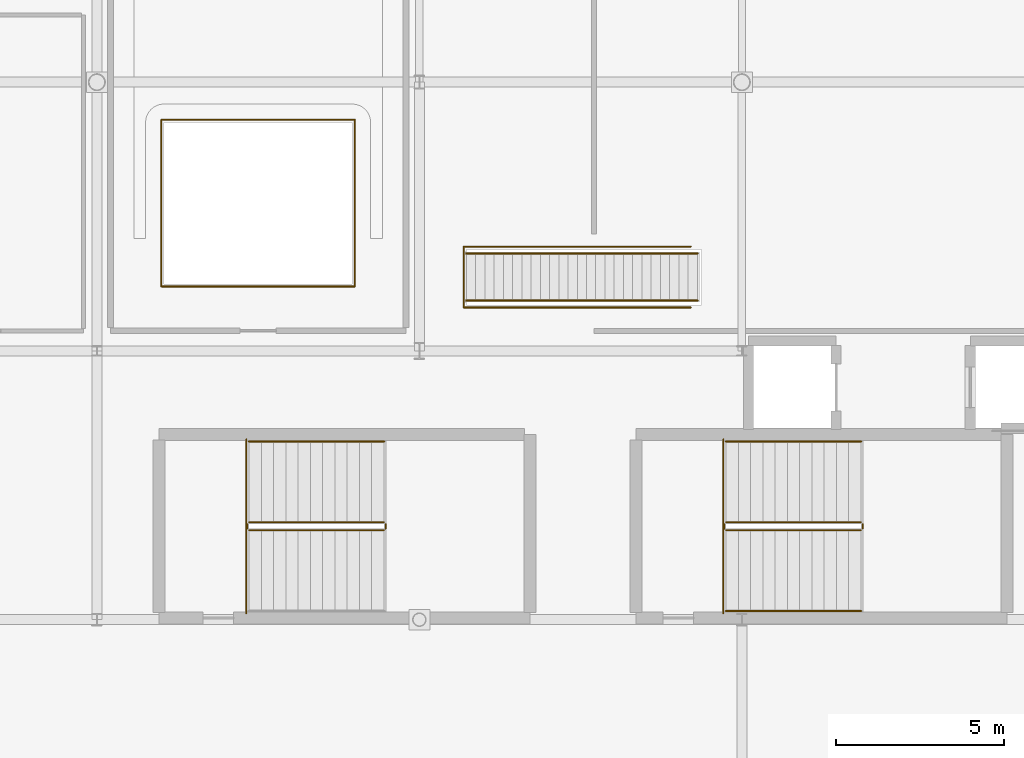
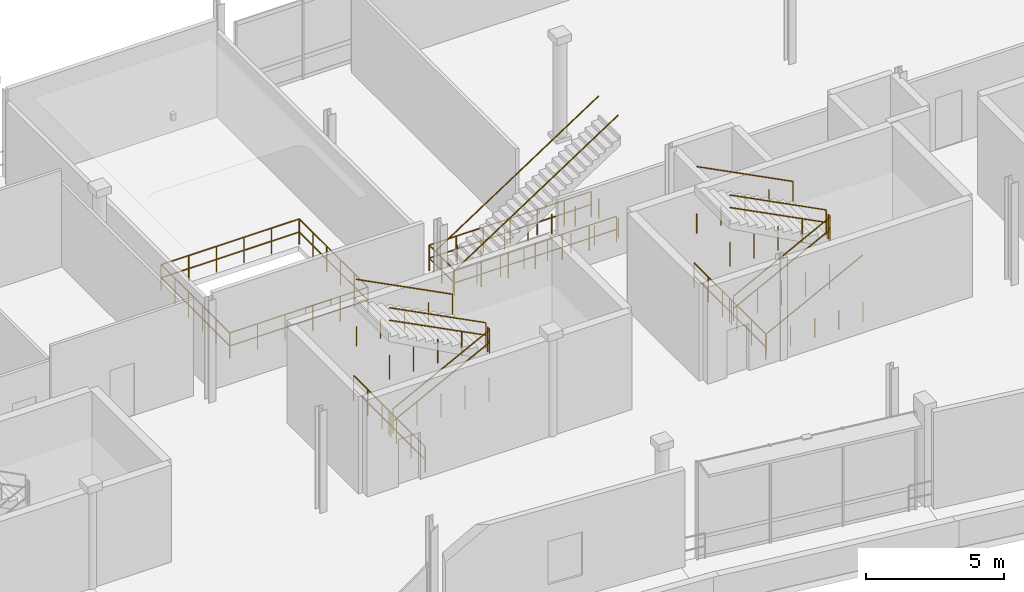
# One storey, part 52 of 59: 17 railings.
"""IFC4 building model written with IfcOpenShell, lengths in metres."""

from ifc_helpers import new_model, si_unit, direction, frame, origin, origin_2d, place, context, subcontext, project, spatial, circle, extrude, material, type_object, element, save


model = new_model("IFC4")

# Units and contexts
model_context = context("Model", 3, precision=1e-05, world=origin(), true_north=direction((0.0, 1.0)))
body_context = subcontext(model_context, "Body", "Model", "MODEL_VIEW")
ifc_project = project(units=[si_unit("LENGTHUNIT", "METRE"), si_unit("AREAUNIT", "SQUARE_METRE"), si_unit("VOLUMEUNIT", "CUBIC_METRE"), si_unit("PLANEANGLEUNIT", "RADIAN"), si_unit("MASSUNIT", "GRAM", prefix="KILO")], contexts=[model_context])

# Site, building, storey
site_placement = place(None, origin())
site = spatial("IfcSite", under=ifc_project, at=site_placement, CompositionType="ELEMENT")
building_placement = place(site_placement, origin())
building = spatial("IfcBuilding", under=site, at=building_placement, Name="Danafjord Basin Convention Centre", CompositionType="ELEMENT")
storey_placement = place(building_placement, frame((0.0, 0.0, 15.89990234375)))
storey = spatial("IfcBuildingStorey", under=building, at=storey_placement, Name="L03", CompositionType="ELEMENT", Elevation=15.89990234375)

# Railings
ifc_material_1 = material(Name="Laminated structural glass and stainless steel", Category="steel")
railing_type_1 = type_object("IfcRailingType", Name="RL-BAL-GLS", PredefinedType="BALUSTRADE", material=ifc_material_1)
railing_1_placement = place(storey_placement, frame((84.8798828125, 27.10498046875, 0.0)))
element("IfcRailing", 1, at=railing_1_placement, inside=storey, type_object=railing_type_1, Name="L03 safety guard balustrade 264", PredefinedType="BALUSTRADE", context=body_context, shape_type="SweptSolid", body=[
    extrude(circle(Radius=0.02392578125, at=origin_2d()), frame((0.0, 0.0, 1.1259765625), z_axis=(-1.0, 0.0, 0.0), x_axis=(0.0, -1.0, 0.0)), (0.0, 0.0, 1.0), 6.759765625),
    extrude(circle(Radius=0.02392578125, at=origin_2d()), frame((0.0, 0.0, 0.55078125), z_axis=(-1.0, 0.0, 0.0), x_axis=(0.0, -1.0, 0.0)), (0.0, 0.0, 1.0), 6.759765625),
    extrude(circle(Radius=0.02392578125, at=origin_2d()), frame((-6.759765625, 0.0, 1.1259765625), z_axis=(0.0, -1.0, 0.0), x_axis=(1.0, 0.0, 0.0)), (0.0, 0.0, 1.0), 1.81005859375),
    extrude(circle(Radius=0.02392578125, at=origin_2d()), frame((-6.759765625, 0.0, 0.55078125), z_axis=(0.0, -1.0, 0.0), x_axis=(1.0, 0.0, 0.0)), (0.0, 0.0, 1.0), 1.81005859375),
    extrude(circle(Radius=0.02392578125, at=origin_2d()), frame((-6.759765625, -1.81005859375, 1.1259765625), z_axis=(1.0, 0.0, 0.0), x_axis=(0.0, 1.0, 0.0)), (0.0, 0.0, 1.0), 6.759765625),
    extrude(circle(Radius=0.02392578125, at=origin_2d()), frame((-6.759765625, -1.81005859375, 0.55078125), z_axis=(1.0, 0.0, 0.0), x_axis=(0.0, 1.0, 0.0)), (0.0, 0.0, 1.0), 6.759765625),
    extrude(circle(Radius=0.02099609375, at=origin_2d()), origin(), (0.0, 0.0, 1.0), 1.099853515625),
    extrude(circle(Radius=0.02099609375, at=origin_2d()), frame((-1.126708984375, 0.0, 0.0)), (0.0, 0.0, 1.0), 1.099853515625),
    extrude(circle(Radius=0.02099609375, at=origin_2d()), frame((-2.253173828125, 0.0, 0.0)), (0.0, 0.0, 1.0), 1.099853515625),
    extrude(circle(Radius=0.02099609375, at=origin_2d()), frame((-3.3798828125, 0.0, 0.0)), (0.0, 0.0, 1.0), 1.099853515625),
    extrude(circle(Radius=0.02099609375, at=origin_2d()), frame((-4.506591796875, 0.0, 0.0)), (0.0, 0.0, 1.0), 1.099853515625),
    extrude(circle(Radius=0.02099609375, at=origin_2d()), frame((-5.633056640625, 0.0, 0.0)), (0.0, 0.0, 1.0), 1.099853515625),
    extrude(circle(Radius=0.02099609375, at=origin_2d()), frame((-6.759765625, 0.0, 0.0)), (0.0, 0.0, 1.0), 1.099853515625),
    extrude(circle(Radius=0.02099609375, at=origin_2d()), frame((-6.759765625, -0.905029296875, 0.0)), (0.0, 0.0, 1.0), 1.099853515625),
    extrude(circle(Radius=0.02099609375, at=origin_2d()), frame((-6.759765625, -1.81005859375, 0.0)), (0.0, 0.0, 1.0), 1.099853515625),
    extrude(circle(Radius=0.02099609375, at=origin_2d()), frame((-5.633056640625, -1.81005859375, 0.0)), (0.0, 0.0, 1.0), 1.099853515625),
    extrude(circle(Radius=0.02099609375, at=origin_2d()), frame((-4.506591796875, -1.81005859375, 0.0)), (0.0, 0.0, 1.0), 1.099853515625),
    extrude(circle(Radius=0.02099609375, at=origin_2d()), frame((-3.3798828125, -1.81005859375, 0.0)), (0.0, 0.0, 1.0), 1.099853515625),
    extrude(circle(Radius=0.02099609375, at=origin_2d()), frame((-2.253173828125, -1.81005859375, 0.0)), (0.0, 0.0, 1.0), 1.099853515625),
    extrude(circle(Radius=0.02099609375, at=origin_2d()), frame((-1.126708984375, -1.81005859375, 0.0)), (0.0, 0.0, 1.0), 1.099853515625),
    extrude(circle(Radius=0.02099609375, at=origin_2d()), frame((0.0, -1.81005859375, 0.0)), (0.0, 0.0, 1.0), 1.099853515625),
])
railing_2_placement = place(storey_placement, frame((74.8798828125, 30.8798828125, 0.0)))
element("IfcRailing", 2, at=railing_2_placement, inside=storey, type_object=railing_type_1, Name="L03 safety guard balustrade 266", PredefinedType="BALUSTRADE", context=body_context, shape_type="SweptSolid", body=[
    extrude(circle(Radius=0.02392578125, at=origin_2d()), frame((0.0, 0.0, 1.1259765625), z_axis=(-1.0, 0.0, 0.0), x_axis=(0.0, -1.0, 0.0)), (0.0, 0.0, 1.0), 5.759765625),
    extrude(circle(Radius=0.02392578125, at=origin_2d()), frame((0.0, 0.0, 0.55078125), z_axis=(-1.0, 0.0, 0.0), x_axis=(0.0, -1.0, 0.0)), (0.0, 0.0, 1.0), 5.759765625),
    extrude(circle(Radius=0.02392578125, at=origin_2d()), frame((-5.759765625, 0.0, 1.1259765625), z_axis=(0.0, -1.0, 0.0), x_axis=(1.0, 0.0, 0.0)), (0.0, 0.0, 1.0), 4.9599609375),
    extrude(circle(Radius=0.02392578125, at=origin_2d()), frame((-5.759765625, 0.0, 0.55078125), z_axis=(0.0, -1.0, 0.0), x_axis=(1.0, 0.0, 0.0)), (0.0, 0.0, 1.0), 4.9599609375),
    extrude(circle(Radius=0.02392578125, at=origin_2d()), frame((-5.759765625, -4.9599609375, 1.1259765625), z_axis=(1.0, 0.0, 0.0), x_axis=(0.0, 1.0, 0.0)), (0.0, 0.0, 1.0), 5.759765625),
    extrude(circle(Radius=0.02392578125, at=origin_2d()), frame((-5.759765625, -4.9599609375, 0.55078125), z_axis=(1.0, 0.0, 0.0), x_axis=(0.0, 1.0, 0.0)), (0.0, 0.0, 1.0), 5.759765625),
    extrude(circle(Radius=0.02392578125, at=origin_2d()), frame((0.0, -4.9599609375, 1.1259765625), z_axis=(0.0, 1.0, 0.0), x_axis=(-1.0, 0.0, 0.0)), (0.0, 0.0, 1.0), 4.9599609375),
    extrude(circle(Radius=0.02392578125, at=origin_2d()), frame((0.0, -4.9599609375, 0.55078125), z_axis=(0.0, 1.0, 0.0), x_axis=(-1.0, 0.0, 0.0)), (0.0, 0.0, 1.0), 4.9599609375),
    extrude(circle(Radius=0.02099609375, at=origin_2d()), origin(), (0.0, 0.0, 1.0), 1.099853515625),
    extrude(circle(Radius=0.02099609375, at=origin_2d()), frame((-1.15185546875, 0.0, 0.0)), (0.0, 0.0, 1.0), 1.099853515625),
    extrude(circle(Radius=0.02099609375, at=origin_2d()), frame((-2.303955078125, 0.0, 0.0)), (0.0, 0.0, 1.0), 1.099853515625),
    extrude(circle(Radius=0.02099609375, at=origin_2d()), frame((-3.455810546875, 0.0, 0.0)), (0.0, 0.0, 1.0), 1.099853515625),
    extrude(circle(Radius=0.02099609375, at=origin_2d()), frame((-4.60791015625, 0.0, 0.0)), (0.0, 0.0, 1.0), 1.099853515625),
    extrude(circle(Radius=0.02099609375, at=origin_2d()), frame((-5.759765625, 0.0, 0.0)), (0.0, 0.0, 1.0), 1.099853515625),
    extrude(circle(Radius=0.02099609375, at=origin_2d()), frame((-5.759765625, -0.991943359375, 0.0)), (0.0, 0.0, 1.0), 1.099853515625),
    extrude(circle(Radius=0.02099609375, at=origin_2d()), frame((-5.759765625, -1.98388671875, 0.0)), (0.0, 0.0, 1.0), 1.099853515625),
    extrude(circle(Radius=0.02099609375, at=origin_2d()), frame((-5.759765625, -2.97607421875, 0.0)), (0.0, 0.0, 1.0), 1.099853515625),
    extrude(circle(Radius=0.02099609375, at=origin_2d()), frame((-5.759765625, -3.968017578125, 0.0)), (0.0, 0.0, 1.0), 1.099853515625),
    extrude(circle(Radius=0.02099609375, at=origin_2d()), frame((-5.759765625, -4.9599609375, 0.0)), (0.0, 0.0, 1.0), 1.099853515625),
    extrude(circle(Radius=0.02099609375, at=origin_2d()), frame((-4.60791015625, -4.9599609375, 0.0)), (0.0, 0.0, 1.0), 1.099853515625),
    extrude(circle(Radius=0.02099609375, at=origin_2d()), frame((-3.455810546875, -4.9599609375, 0.0)), (0.0, 0.0, 1.0), 1.099853515625),
    extrude(circle(Radius=0.02099609375, at=origin_2d()), frame((-2.303955078125, -4.9599609375, 0.0)), (0.0, 0.0, 1.0), 1.099853515625),
    extrude(circle(Radius=0.02099609375, at=origin_2d()), frame((-1.15185546875, -4.9599609375, 0.0)), (0.0, 0.0, 1.0), 1.099853515625),
    extrude(circle(Radius=0.02099609375, at=origin_2d()), frame((0.0, -4.9599609375, 0.0)), (0.0, 0.0, 1.0), 1.099853515625),
    extrude(circle(Radius=0.02099609375, at=origin_2d()), frame((0.0, -3.968017578125, 0.0)), (0.0, 0.0, 1.0), 1.099853515625),
    extrude(circle(Radius=0.02099609375, at=origin_2d()), frame((0.0, -2.97607421875, 0.0)), (0.0, 0.0, 1.0), 1.099853515625),
    extrude(circle(Radius=0.02099609375, at=origin_2d()), frame((0.0, -1.98388671875, 0.0)), (0.0, 0.0, 1.0), 1.099853515625),
    extrude(circle(Radius=0.02099609375, at=origin_2d()), frame((0.0, -0.991943359375, 0.0)), (0.0, 0.0, 1.0), 1.099853515625),
])
ifc_material_2 = material(Name="Galvanised and powder-coated steel S355", Category="steel")
railing_type_2 = type_object("IfcRailingType", Name="RL-BAL-STL", PredefinedType="BALUSTRADE", material=ifc_material_2)
for number, where, name in (
    (3, (85.85009765625, 21.375, 0.0), "L03 safety guard balustrade 263"),
    (4, (71.64990234375, 21.375, 0.0), "L03 safety guard balustrade 265"),
):
    element("IfcRailing", number, at=place(storey_placement, frame(where)), inside=storey, type_object=railing_type_2, Name=name, PredefinedType="BALUSTRADE", context=body_context, shape_type="SweptSolid", body=[
        extrude(circle(Radius=0.02392578125, at=origin_2d()), frame((0.0, 0.0, 1.1259765625), z_axis=(0.0, -1.0, 0.0), x_axis=(1.0, 0.0, 0.0)), (0.0, 0.0, 1.0), 5.18994140625),
        extrude(circle(Radius=0.02392578125, at=origin_2d()), frame((0.0, 0.0, 0.55078125), z_axis=(0.0, -1.0, 0.0), x_axis=(1.0, 0.0, 0.0)), (0.0, 0.0, 1.0), 5.18994140625),
        extrude(circle(Radius=0.02099609375, at=origin_2d()), origin(), (0.0, 0.0, 1.0), 1.099853515625),
        extrude(circle(Radius=0.02099609375, at=origin_2d()), frame((0.0, -1.0380859375, 0.0)), (0.0, 0.0, 1.0), 1.099853515625),
        extrude(circle(Radius=0.02099609375, at=origin_2d()), frame((0.0, -2.075927734375, 0.0)), (0.0, 0.0, 1.0), 1.099853515625),
        extrude(circle(Radius=0.02099609375, at=origin_2d()), frame((0.0, -3.114013671875, 0.0)), (0.0, 0.0, 1.0), 1.099853515625),
        extrude(circle(Radius=0.02099609375, at=origin_2d()), frame((0.0, -4.15185546875, 0.0)), (0.0, 0.0, 1.0), 1.099853515625),
        extrude(circle(Radius=0.02099609375, at=origin_2d()), frame((0.0, -5.18994140625, 0.0)), (0.0, 0.0, 1.0), 1.099853515625),
    ])
ifc_material_3 = material(Name="Galvanised steel S355", Category="steel")
railing_type_3 = type_object("IfcRailingType", Name="RL-GD-WELL", PredefinedType="BALUSTRADE", material=ifc_material_3)
railing_3_placement = place(storey_placement, frame((85.929931640625, 18.659912109375, 0.1875)))
element("IfcRailing", 5, at=railing_3_placement, inside=storey, type_object=railing_type_3, Name="L03 ST-03 stair guard 1", PredefinedType="BALUSTRADE", context=body_context, shape_type="SweptSolid", body=[
    extrude(circle(Radius=0.02392578125, at=origin_2d()), frame((0.0, 0.0, 1.076171875), z_axis=(0.889506420944, 0.0, 0.45692267081), x_axis=(0.0, 1.0, 0.0)), (0.0, 0.0, 1.0), 4.513916015625),
    extrude(circle(Radius=0.02392578125, at=origin_2d()), frame((0.0, 0.0, 0.52587890625), z_axis=(0.889506420944, 0.0, 0.45692267081), x_axis=(0.0, 1.0, 0.0)), (0.0, 0.0, 1.0), 4.513916015625),
    extrude(circle(Radius=0.02099609375, at=origin_2d()), origin(), (0.0, 0.0, 1.0), 1.050048828125),
    extrude(circle(Radius=0.02099609375, at=origin_2d()), frame((1.00390625, 0.0, 0.0)), (0.0, 0.0, 1.0), 1.050048828125),
    extrude(circle(Radius=0.02099609375, at=origin_2d()), frame((2.007568359375, 0.0, 0.0)), (0.0, 0.0, 1.0), 1.050048828125),
    extrude(circle(Radius=0.02099609375, at=origin_2d()), frame((3.01123046875, 0.0, 0.0)), (0.0, 0.0, 1.0), 1.050048828125),
    extrude(circle(Radius=0.02099609375, at=origin_2d()), frame((4.01513671875, 0.0, 0.0)), (0.0, 0.0, 1.0), 1.050048828125),
])
railing_4_placement = place(storey_placement, frame((89.9951171875, 18.7099609375, 2.25)))
element("IfcRailing", 6, at=railing_4_placement, inside=storey, type_object=railing_type_3, Name="L03 ST-03 stair guard 2", PredefinedType="BALUSTRADE", context=body_context, shape_type="SweptSolid", body=[
    extrude(circle(Radius=0.02392578125, at=origin_2d()), frame((0.0, 0.0, 1.076171875), z_axis=(0.0, 1.0, 0.0), x_axis=(-1.0, 0.0, 0.0)), (0.0, 0.0, 1.0), 0.14013671875),
    extrude(circle(Radius=0.02392578125, at=origin_2d()), frame((0.0, 0.0, 0.52587890625), z_axis=(0.0, 1.0, 0.0), x_axis=(-1.0, 0.0, 0.0)), (0.0, 0.0, 1.0), 0.14013671875),
    extrude(circle(Radius=0.02099609375, at=origin_2d()), origin(), (0.0, 0.0, 1.0), 1.050048828125),
    extrude(circle(Radius=0.02099609375, at=origin_2d()), frame((0.0, 0.14013671875, 0.0)), (0.0, 0.0, 1.0), 1.050048828125),
])
railing_5_placement = place(storey_placement, frame((89.945068359375, 18.89990234375, 2.4375)))
element("IfcRailing", 7, at=railing_5_placement, inside=storey, type_object=railing_type_3, Name="L03 ST-03 stair guard 3", PredefinedType="BALUSTRADE", context=body_context, shape_type="SweptSolid", body=[
    extrude(circle(Radius=0.02392578125, at=origin_2d()), frame((0.0, 0.0, 1.076171875), z_axis=(-0.889506420944, 0.0, 0.45692267081), x_axis=(0.0, -1.0, 0.0)), (0.0, 0.0, 1.0), 4.513916015625),
    extrude(circle(Radius=0.02392578125, at=origin_2d()), frame((0.0, 0.0, 0.52587890625), z_axis=(-0.889506420944, 0.0, 0.45692267081), x_axis=(0.0, -1.0, 0.0)), (0.0, 0.0, 1.0), 4.513916015625),
    extrude(circle(Radius=0.02099609375, at=origin_2d()), origin(), (0.0, 0.0, 1.0), 1.050048828125),
    extrude(circle(Radius=0.02099609375, at=origin_2d()), frame((-1.00390625, 0.0, 0.0)), (0.0, 0.0, 1.0), 1.050048828125),
    extrude(circle(Radius=0.02099609375, at=origin_2d()), frame((-2.007568359375, 0.0, 0.0)), (0.0, 0.0, 1.0), 1.050048828125),
    extrude(circle(Radius=0.02099609375, at=origin_2d()), frame((-3.01123046875, 0.0, 0.0)), (0.0, 0.0, 1.0), 1.050048828125),
    extrude(circle(Radius=0.02099609375, at=origin_2d()), frame((-4.01513671875, 0.0, 0.0)), (0.0, 0.0, 1.0), 1.050048828125),
])
railing_6_placement = place(storey_placement, frame((85.8798828125, 18.7099609375, 0.0)))
element("IfcRailing", 8, at=railing_6_placement, inside=storey, type_object=railing_type_3, Name="L03 ST-03 stair guard 4", PredefinedType="BALUSTRADE", context=body_context, shape_type="SweptSolid", body=[
    extrude(circle(Radius=0.02392578125, at=origin_2d()), frame((0.0, 0.0, 1.076171875), z_axis=(0.0, 1.0, 0.0), x_axis=(-1.0, 0.0, 0.0)), (0.0, 0.0, 1.0), 0.14013671875),
    extrude(circle(Radius=0.02392578125, at=origin_2d()), frame((0.0, 0.0, 0.52587890625), z_axis=(0.0, 1.0, 0.0), x_axis=(-1.0, 0.0, 0.0)), (0.0, 0.0, 1.0), 0.14013671875),
    extrude(circle(Radius=0.02099609375, at=origin_2d()), origin(), (0.0, 0.0, 1.0), 1.050048828125),
    extrude(circle(Radius=0.02099609375, at=origin_2d()), frame((0.0, 0.14013671875, 0.0)), (0.0, 0.0, 1.0), 1.050048828125),
])
railing_7_placement = place(storey_placement, frame((71.72998046875, 18.659912109375, 0.1875)))
element("IfcRailing", 9, at=railing_7_placement, inside=storey, type_object=railing_type_3, Name="L03 ST-06 stair guard 1", PredefinedType="BALUSTRADE", context=body_context, shape_type="SweptSolid", body=[
    extrude(circle(Radius=0.02392578125, at=origin_2d()), frame((0.0, 0.0, 1.076171875), z_axis=(0.889506420944, 0.0, 0.45692267081), x_axis=(0.0, 1.0, 0.0)), (0.0, 0.0, 1.0), 4.513916015625),
    extrude(circle(Radius=0.02392578125, at=origin_2d()), frame((0.0, 0.0, 0.52587890625), z_axis=(0.889506420944, 0.0, 0.45692267081), x_axis=(0.0, 1.0, 0.0)), (0.0, 0.0, 1.0), 4.513916015625),
    extrude(circle(Radius=0.02099609375, at=origin_2d()), origin(), (0.0, 0.0, 1.0), 1.050048828125),
    extrude(circle(Radius=0.02099609375, at=origin_2d()), frame((1.00390625, 0.0, 0.0)), (0.0, 0.0, 1.0), 1.050048828125),
    extrude(circle(Radius=0.02099609375, at=origin_2d()), frame((2.007568359375, 0.0, 0.0)), (0.0, 0.0, 1.0), 1.050048828125),
    extrude(circle(Radius=0.02099609375, at=origin_2d()), frame((3.01123046875, 0.0, 0.0)), (0.0, 0.0, 1.0), 1.050048828125),
    extrude(circle(Radius=0.02099609375, at=origin_2d()), frame((4.01513671875, 0.0, 0.0)), (0.0, 0.0, 1.0), 1.050048828125),
])
railing_8_placement = place(storey_placement, frame((75.794921875, 18.7099609375, 2.25)))
element("IfcRailing", 10, at=railing_8_placement, inside=storey, type_object=railing_type_3, Name="L03 ST-06 stair guard 2", PredefinedType="BALUSTRADE", context=body_context, shape_type="SweptSolid", body=[
    extrude(circle(Radius=0.02392578125, at=origin_2d()), frame((0.0, 0.0, 1.076171875), z_axis=(0.0, 1.0, 0.0), x_axis=(-1.0, 0.0, 0.0)), (0.0, 0.0, 1.0), 0.14013671875),
    extrude(circle(Radius=0.02392578125, at=origin_2d()), frame((0.0, 0.0, 0.52587890625), z_axis=(0.0, 1.0, 0.0), x_axis=(-1.0, 0.0, 0.0)), (0.0, 0.0, 1.0), 0.14013671875),
    extrude(circle(Radius=0.02099609375, at=origin_2d()), origin(), (0.0, 0.0, 1.0), 1.050048828125),
    extrude(circle(Radius=0.02099609375, at=origin_2d()), frame((0.0, 0.14013671875, 0.0)), (0.0, 0.0, 1.0), 1.050048828125),
])
railing_9_placement = place(storey_placement, frame((75.7451171875, 18.89990234375, 2.4375)))
element("IfcRailing", 11, at=railing_9_placement, inside=storey, type_object=railing_type_3, Name="L03 ST-06 stair guard 3", PredefinedType="BALUSTRADE", context=body_context, shape_type="SweptSolid", body=[
    extrude(circle(Radius=0.02392578125, at=origin_2d()), frame((0.0, 0.0, 1.076171875), z_axis=(-0.889506420944, 0.0, 0.45692267081), x_axis=(0.0, -1.0, 0.0)), (0.0, 0.0, 1.0), 4.513916015625),
    extrude(circle(Radius=0.02392578125, at=origin_2d()), frame((0.0, 0.0, 0.52587890625), z_axis=(-0.889506420944, 0.0, 0.45692267081), x_axis=(0.0, -1.0, 0.0)), (0.0, 0.0, 1.0), 4.513916015625),
    extrude(circle(Radius=0.02099609375, at=origin_2d()), origin(), (0.0, 0.0, 1.0), 1.050048828125),
    extrude(circle(Radius=0.02099609375, at=origin_2d()), frame((-1.00390625, 0.0, 0.0)), (0.0, 0.0, 1.0), 1.050048828125),
    extrude(circle(Radius=0.02099609375, at=origin_2d()), frame((-2.007568359375, 0.0, 0.0)), (0.0, 0.0, 1.0), 1.050048828125),
    extrude(circle(Radius=0.02099609375, at=origin_2d()), frame((-3.01123046875, 0.0, 0.0)), (0.0, 0.0, 1.0), 1.050048828125),
    extrude(circle(Radius=0.02099609375, at=origin_2d()), frame((-4.01513671875, 0.0, 0.0)), (0.0, 0.0, 1.0), 1.050048828125),
])
railing_10_placement = place(storey_placement, frame((71.679931640625, 18.7099609375, 0.0)))
element("IfcRailing", 12, at=railing_10_placement, inside=storey, type_object=railing_type_3, Name="L03 ST-06 stair guard 4", PredefinedType="BALUSTRADE", context=body_context, shape_type="SweptSolid", body=[
    extrude(circle(Radius=0.02392578125, at=origin_2d()), frame((0.0, 0.0, 1.076171875), z_axis=(0.0, 1.0, 0.0), x_axis=(-1.0, 0.0, 0.0)), (0.0, 0.0, 1.0), 0.14013671875),
    extrude(circle(Radius=0.02392578125, at=origin_2d()), frame((0.0, 0.0, 0.52587890625), z_axis=(0.0, 1.0, 0.0), x_axis=(-1.0, 0.0, 0.0)), (0.0, 0.0, 1.0), 0.14013671875),
    extrude(circle(Radius=0.02099609375, at=origin_2d()), origin(), (0.0, 0.0, 1.0), 1.050048828125),
    extrude(circle(Radius=0.02099609375, at=origin_2d()), frame((0.0, 0.14013671875, 0.0)), (0.0, 0.0, 1.0), 1.050048828125),
])
ifc_material_4 = material(Name="Brushed stainless steel EN 1.4404", Category="steel")
railing_type_4 = type_object("IfcRailingType", Name="RL-HR-STAIR", PredefinedType="HANDRAIL", material=ifc_material_4)
railing_11_placement = place(storey_placement, frame((85.929931640625, 16.260009765625, 0.1875)))
element("IfcRailing", 13, at=railing_11_placement, inside=storey, type_object=railing_type_4, Name="L03 ST-03 stair handrail 1", PredefinedType="HANDRAIL", context=body_context, shape_type="SweptSolid", body=[
    extrude(circle(Radius=0.02392578125, at=origin_2d()), frame((0.0, 0.0, 0.8759765625), z_axis=(0.889506420944, 0.0, 0.45692267081), x_axis=(0.0, 1.0, 0.0)), (0.0, 0.0, 1.0), 4.513916015625),
    extrude(circle(Radius=0.02099609375, at=origin_2d()), origin(), (0.0, 0.0, 1.0), 0.849853515625),
    extrude(circle(Radius=0.02099609375, at=origin_2d()), frame((1.00390625, 0.0, 0.0)), (0.0, 0.0, 1.0), 0.849853515625),
    extrude(circle(Radius=0.02099609375, at=origin_2d()), frame((2.007568359375, 0.0, 0.0)), (0.0, 0.0, 1.0), 0.849853515625),
    extrude(circle(Radius=0.02099609375, at=origin_2d()), frame((3.01123046875, 0.0, 0.0)), (0.0, 0.0, 1.0), 0.849853515625),
    extrude(circle(Radius=0.02099609375, at=origin_2d()), frame((4.01513671875, 0.0, 0.0)), (0.0, 0.0, 1.0), 0.849853515625),
])
for number, where, name in (
    (14, (89.945068359375, 21.300048828125, 2.4375), "L03 ST-03 stair handrail 2"),
    (15, (75.7451171875, 21.300048828125, 2.4375), "L03 ST-06 stair handrail 2"),
):
    element("IfcRailing", number, at=place(storey_placement, frame(where)), inside=storey, type_object=railing_type_4, Name=name, PredefinedType="HANDRAIL", context=body_context, shape_type="SweptSolid", body=[
        extrude(circle(Radius=0.02392578125, at=origin_2d()), frame((0.0, 0.0, 0.8759765625), z_axis=(-0.889506420944, 0.0, 0.45692267081), x_axis=(0.0, -1.0, 0.0)), (0.0, 0.0, 1.0), 4.513916015625),
        extrude(circle(Radius=0.02099609375, at=origin_2d()), origin(), (0.0, 0.0, 1.0), 0.849853515625),
        extrude(circle(Radius=0.02099609375, at=origin_2d()), frame((-1.00390625, 0.0, 0.0)), (0.0, 0.0, 1.0), 0.849853515625),
        extrude(circle(Radius=0.02099609375, at=origin_2d()), frame((-2.007568359375, 0.0, 0.0)), (0.0, 0.0, 1.0), 0.849853515625),
        extrude(circle(Radius=0.02099609375, at=origin_2d()), frame((-3.01123046875, 0.0, 0.0)), (0.0, 0.0, 1.0), 0.849853515625),
        extrude(circle(Radius=0.02099609375, at=origin_2d()), frame((-4.01513671875, 0.0, 0.0)), (0.0, 0.0, 1.0), 0.849853515625),
    ])
for number, where, name in (
    (16, (78.199951171875, 26.89990234375, 0.0), "Step-1 to Step-2 East Garden Stair handrail L"),
    (17, (78.199951171875, 25.5, 0.0), "Step-1 to Step-2 East Garden Stair handrail R"),
):
    element("IfcRailing", number, at=place(storey_placement, frame(where)), inside=storey, type_object=railing_type_4, Name=name, PredefinedType="HANDRAIL", context=body_context, shape_type="SweptSolid", body=[
        extrude(circle(Radius=0.02392578125, at=origin_2d()), frame((0.0, 0.0, 0.89599609375), z_axis=(0.836701516894, 0.0, 0.547659174694), x_axis=(0.0, 1.0, 0.0)), (0.0, 0.0, 1.0), 8.216796875),
        extrude(circle(Radius=0.02099609375, at=origin_2d()), origin(), (0.0, 0.0, 1.0), 0.869873046875),
        extrude(circle(Radius=0.02099609375, at=origin_2d()), frame((0.982177734375, 0.0, 0.0)), (0.0, 0.0, 1.0), 0.869873046875),
        extrude(circle(Radius=0.02099609375, at=origin_2d()), frame((1.96435546875, 0.0, 0.0)), (0.0, 0.0, 1.0), 0.869873046875),
        extrude(circle(Radius=0.02099609375, at=origin_2d()), frame((2.946533203125, 0.0, 0.0)), (0.0, 0.0, 1.0), 0.869873046875),
        extrude(circle(Radius=0.02099609375, at=origin_2d()), frame((3.928466796875, 0.0, 0.0)), (0.0, 0.0, 1.0), 0.869873046875),
        extrude(circle(Radius=0.02099609375, at=origin_2d()), frame((4.91064453125, 0.0, 0.0)), (0.0, 0.0, 1.0), 0.869873046875),
        extrude(circle(Radius=0.02099609375, at=origin_2d()), frame((5.892822265625, 0.0, 0.0)), (0.0, 0.0, 1.0), 0.869873046875),
        extrude(circle(Radius=0.02099609375, at=origin_2d()), frame((6.875, 0.0, 0.0)), (0.0, 0.0, 1.0), 0.869873046875),
    ])

save(model, "model.ifc")
